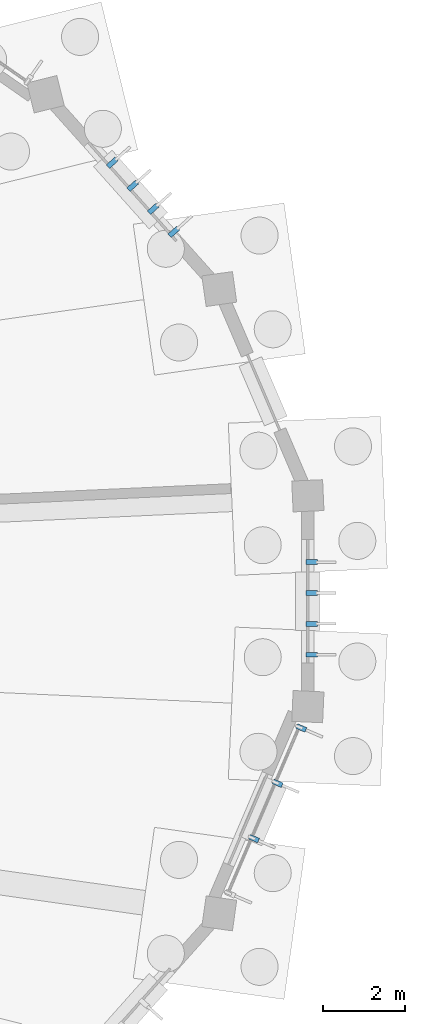
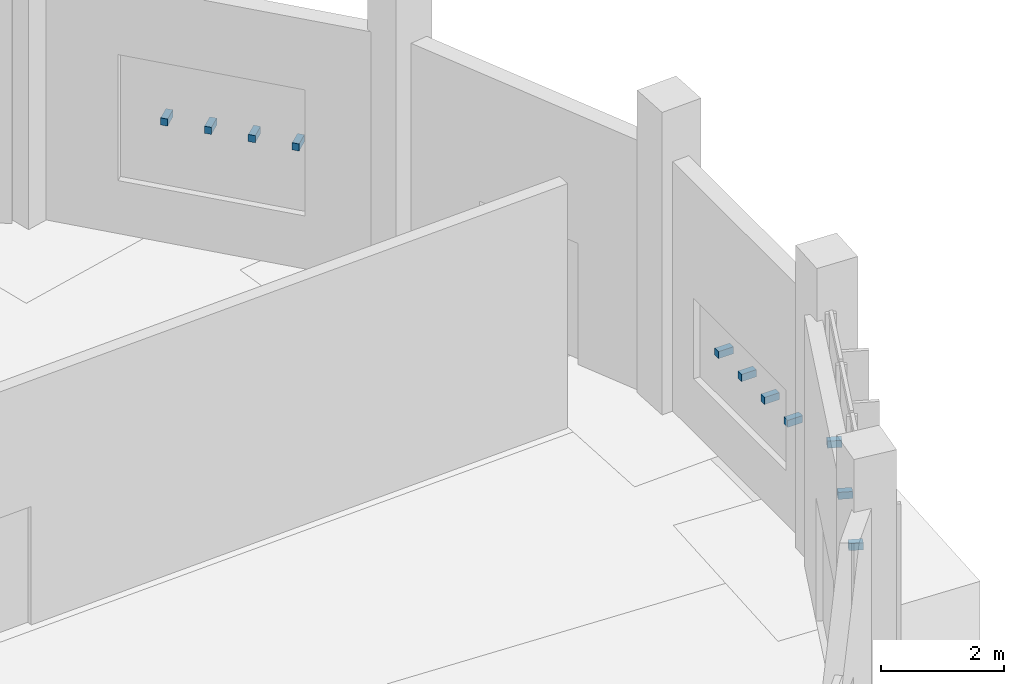
# One storey, part 107 of 140: 11 discrete accessories.
"""IFC4 building model written with IfcOpenShell, lengths in metres."""

import ifcopenshell
import ifcopenshell.guid

model = None  # the IFC model being written
_history = None  # IfcOwnerHistory: only IFC2X3 demands one
_inside = {}  # id of a spatial element -> (the spatial element, [elements in it])
_under = {}  # id of a project, library or spatial element -> (it, [spatial elements below it])
_declared = {}  # id of a project -> (the project, [libraries it declares])
_typed = {}  # id of a type object -> (the type object, [elements of that type])
_made_of = {}  # id of a material, layer set ... -> (it, [elements and type objects made of it])


def new_model(schema):
    """Start an empty IFC model of exactly this schema.

    Asked for "IFC4X3", IfcOpenShell would pick the latest addendum, in which some entities
    have other attributes; the version numbers below select the first issue.
    IFC2X3 requires an IfcOwnerHistory on every rooted entity: one is made here for all.
    """
    global model, _history
    if schema == "IFC4X3":
        model = ifcopenshell.file(schema_version=(4, 3, 0, 0))
    else:
        model = ifcopenshell.file(schema=schema)
    _inside.clear()
    _under.clear()
    _declared.clear()
    _typed.clear()
    _made_of.clear()
    _history = None
    if model.schema == "IFC2X3":
        org = make("IfcOrganization", Name="unknown")
        user = make(
            "IfcPersonAndOrganization",
            ThePerson=make("IfcPerson", FamilyName="unknown"),
            TheOrganization=org,
        )
        app = make(
            "IfcApplication",
            ApplicationDeveloper=org,
            Version="unknown",
            ApplicationFullName="unknown",
            ApplicationIdentifier="unknown",
        )
        _history = make(
            "IfcOwnerHistory",
            OwningUser=user,
            OwningApplication=app,
            ChangeAction="ADDED",
            CreationDate=0,
        )
    return model


def make(cls, **values):
    """One entity of the class cls with the attributes given. An attribute that is None is left unset."""
    return model.create_entity(
        cls, **{name: value for name, value in values.items() if value is not None}
    )


def rooted(cls, **values):
    """An entity with a GlobalId (a new one), such as an element, a storey or a relation."""
    return make(cls, GlobalId=ifcopenshell.guid.new(), OwnerHistory=_history, **values)


def si_unit(unit_type, name, prefix=None):
    """IfcSIUnit, for example si_unit("LENGTHUNIT", "METRE", prefix="MILLI")."""
    return make("IfcSIUnit", UnitType=unit_type, Prefix=prefix, Name=name)


def assignment(units):
    """IfcUnitAssignment: the units of a project."""
    return None if units is None else make("IfcUnitAssignment", Units=units)


def point(xyz):
    """IfcCartesianPoint."""
    return None if xyz is None else make("IfcCartesianPoint", Coordinates=xyz)


def direction(xyz):
    """IfcDirection."""
    return None if xyz is None else make("IfcDirection", DirectionRatios=xyz)


def frame(location, z_axis=None, x_axis=None):
    """IfcAxis2Placement3D, a coordinate frame: its origin and axes. An axis left out is left unset."""
    return make(
        "IfcAxis2Placement3D",
        Location=point(location),
        Axis=direction(z_axis),
        RefDirection=direction(x_axis),
    )


def frame_2d(location, x_axis=None):
    """IfcAxis2Placement2D, a coordinate frame in the plane: its origin and x axis."""
    return make(
        "IfcAxis2Placement2D", Location=point(location), RefDirection=direction(x_axis)
    )


def origin():
    """The frame at (0, 0, 0) with its axes left unset."""
    return frame((0.0, 0.0, 0.0))


def origin_2d():
    """The frame at (0, 0) in the plane with its x axis left unset."""
    return frame_2d((0.0, 0.0))


def place(relative_to, where):
    """IfcLocalPlacement: puts the frame where relative to a parent placement (None: the world)."""
    return make(
        "IfcLocalPlacement", PlacementRelTo=relative_to, RelativePlacement=where
    )


def context(
    kind, dimensions, precision=None, world=None, true_north=None, identifier=None
):
    """IfcGeometricRepresentationContext, for example the 3D "Model" context."""
    return make(
        "IfcGeometricRepresentationContext",
        ContextIdentifier=identifier,
        ContextType=kind,
        CoordinateSpaceDimension=dimensions,
        Precision=precision,
        WorldCoordinateSystem=world,
        TrueNorth=true_north,
    )


def subcontext(parent, identifier, kind, view, scale=None):
    """IfcGeometricRepresentationSubContext, for example "Body" below "Model"."""
    return make(
        "IfcGeometricRepresentationSubContext",
        ContextIdentifier=identifier,
        ContextType=kind,
        ParentContext=parent,
        TargetScale=scale,
        TargetView=view,
    )


def project(units=None, contexts=None):
    """IfcProject with its units and contexts."""
    return rooted(
        "IfcProject",
        Name="project",
        RepresentationContexts=contexts,
        UnitsInContext=assignment(units),
    )


def spatial(cls, under=None, at=None, **own):
    """A site, building, storey or space (cls), placed at a placement, below another one or the project."""
    s = rooted(cls, ObjectPlacement=at, **own)
    if under is not None:
        _under.setdefault(under.id(), (under, []))[1].append(s)
    return s


def profile(cls, at=None, kind="AREA", **sizes):
    """A parametric profile (cls). Its sizes go by their IFC names, for example OverallWidth=200.0."""
    return make(cls, ProfileType=kind, Position=at, **sizes)


def rectangle(**sizes):
    """IfcRectangleProfileDef."""
    return profile("IfcRectangleProfileDef", **sizes)


def extrude(swept, where, along, depth):
    """IfcExtrudedAreaSolid: the profile swept, set in the frame where, extruded along a direction by depth."""
    return make(
        "IfcExtrudedAreaSolid",
        SweptArea=swept,
        Position=where,
        ExtrudedDirection=direction(along),
        Depth=depth,
    )


def shape(context_of_items, identifier, shape_type, items):
    """IfcShapeRepresentation: the items that make up one representation, for example the "Body"."""
    return make(
        "IfcShapeRepresentation",
        ContextOfItems=context_of_items,
        RepresentationIdentifier=identifier,
        RepresentationType=shape_type,
        Items=items,
    )


def material(Name=None, Category=None):
    """IfcMaterial."""
    return make("IfcMaterial", Name=Name, Category=Category)


def made_of(thing, what):
    """Note that an element or type object is made of a material, layer set ...; save() writes the relation."""
    if what is not None:
        _made_of.setdefault(what.id(), (what, []))[1].append(thing)
    return thing


def type_object(cls, material=None, **own):
    """A type object (cls), such as IfcWallType, which elements share."""
    return made_of(rooted(cls, **own), material)


def element(
    cls,
    number,
    at=None,
    inside=None,
    cuts=None,
    type_object=None,
    material=None,
    context=None,
    identifier="Body",
    shape_type=None,
    held_by="IfcProductDefinitionShape",
    body=None,
    shapes=None,
    **own,
):
    """One element of the class cls, such as IfcWall. Its Tag is "e" and its number.

    at: its placement. inside: the storey or other place that contains it. cuts: it is an
    opening in that element (IfcRelVoidsElement). A single representation is given by context,
    identifier, shape_type and body (its items); several are given by shapes. held_by: the class
    of the entity that holds the representations. save() writes the other relations.
    """
    e = rooted(cls, Tag="e%d" % number, ObjectPlacement=at, **own)
    if body is not None:
        shapes = [shape(context, identifier, shape_type, body)]
    if shapes is not None:
        e.Representation = make(held_by, Representations=shapes)
    if inside is not None:
        _inside.setdefault(inside.id(), (inside, []))[1].append(e)
    if cuts is not None:
        rooted(
            "IfcRelVoidsElement", RelatingBuildingElement=cuts, RelatedOpeningElement=e
        )
    if type_object is not None:
        _typed.setdefault(type_object.id(), (type_object, []))[1].append(e)
    return made_of(e, material)


def aggregate(whole, parts):
    """IfcRelAggregates: a whole, such as a stair, and the parts it consists of."""
    return rooted("IfcRelAggregates", RelatingObject=whole, RelatedObjects=parts)


def save(model, path):
    """Write the relations noted so far, then the file.

    IfcRelAggregates (storeys below a building ...), IfcRelContainedInSpatialStructure (elements
    in a storey), IfcRelDefinesByType, IfcRelAssociatesMaterial and IfcRelDeclares: one each for
    every whole, place, type object, material and project.
    """
    for whole, parts in _under.values():
        aggregate(whole, parts)
    for where, things in _inside.values():
        rooted(
            "IfcRelContainedInSpatialStructure",
            RelatedElements=things,
            RelatingStructure=where,
        )
    for kind, things in _typed.values():
        rooted("IfcRelDefinesByType", RelatedObjects=things, RelatingType=kind)
    for what, things in _made_of.values():
        rooted("IfcRelAssociatesMaterial", RelatedObjects=things, RelatingMaterial=what)
    for by, libraries in _declared.values():
        rooted("IfcRelDeclares", RelatingContext=by, RelatedDefinitions=libraries)
    model.write(path)


model = new_model("IFC4")

# Units and contexts
model_context = context("Model", 3, precision=1e-05, world=origin(), true_north=direction((0.0, 1.0)))
body_context = subcontext(model_context, "Body", "Model", "MODEL_VIEW")
ifc_project = project(units=[si_unit("LENGTHUNIT", "METRE"), si_unit("AREAUNIT", "SQUARE_METRE"), si_unit("VOLUMEUNIT", "CUBIC_METRE"), si_unit("PLANEANGLEUNIT", "RADIAN"), si_unit("MASSUNIT", "GRAM", prefix="KILO")], contexts=[model_context])

# Site, building, storey
site_placement = place(None, origin())
site = spatial("IfcSite", under=ifc_project, at=site_placement, CompositionType="ELEMENT")
building_placement = place(site_placement, origin())
building = spatial("IfcBuilding", under=site, at=building_placement, Name="Corvandel Quay Wholesale Market", CompositionType="ELEMENT")
storey_placement = place(building_placement, origin())
storey = spatial("IfcBuildingStorey", under=building, at=storey_placement, Name="L00", CompositionType="ELEMENT", Elevation=0.0)

# Discrete accessories
ifc_material = material(Name="Austenitic stainless steel Grade 316", Category="steel")
discrete_accessory_type = type_object("IfcDiscreteAccessoryType", Name="Stainless Solar Fin Fixing Bracket BRK01", PredefinedType="USERDEFINED", material=ifc_material)
for number, where, z_axis, x_axis, name in (
    (1, (166.744384765625, 124.971435546875, 2.22998046875), (0.0, 0.0, 1.0), (0.746289766155, 0.665621202286, 0.0), "Fin Bracket 0420"),
    (2, (166.2451171875, 125.531005859375, 2.22998046875), (0.0, 0.0, 1.0), (0.746289766155, 0.665621202286, 0.0), "Fin Bracket 0421"),
    (3, (165.745849609375, 126.0908203125, 2.22998046875), (0.0, 0.0, 1.0), (0.746289766155, 0.665621202286, 0.0), "Fin Bracket 0422"),
    (4, (165.24658203125, 126.650390625, 2.22998046875), (0.0, 0.0, 1.0), (0.746289766155, 0.665621202286, 0.0), "Fin Bracket 0423"),
):
    element("IfcDiscreteAccessory", number, at=place(storey_placement, frame(where, z_axis=z_axis, x_axis=x_axis)), inside=storey, type_object=discrete_accessory_type, Name=name, ObjectType="BRACKET", PredefinedType="USERDEFINED", context=body_context, shape_type="SweptSolid", body=[
        extrude(rectangle(XDim=0.280029296875, YDim=0.1201171875, at=origin_2d()), origin(), (0.0, 0.0, 1.0), 0.139892578125),
    ])
for number, where, z_axis, x_axis, name in (
    (5, (168.69140625, 110.232177734375, 2.5048828125), (0.0, 0.0, 1.0), (-0.919204081089, 0.393781484212, 0.0), "Fin Bracket 0587"),
    (6, (169.266845703125, 111.57568359375, 2.5048828125), (0.0, 0.0, 1.0), (-0.919204081089, 0.393781484212, 0.0), "Fin Bracket 0588"),
    (7, (169.842529296875, 112.9189453125, 2.5048828125), (0.0, 0.0, 1.0), (-0.919204081089, 0.393781484212, 0.0), "Fin Bracket 0589"),
):
    element("IfcDiscreteAccessory", number, at=place(storey_placement, frame(where, z_axis=z_axis, x_axis=x_axis)), inside=storey, type_object=discrete_accessory_type, Name=name, ObjectType="BRACKET", PredefinedType="USERDEFINED", context=body_context, shape_type="SweptSolid", body=[
        extrude(rectangle(XDim=0.239990234375, YDim=0.1201171875, at=origin_2d()), origin(), (0.0, 0.0, 1.0), 0.139892578125),
    ])
for number, where, z_axis, x_axis, name in (
    (8, (170.10009765625, 114.699951171875, 1.7802734375), (0.0, 0.0, 1.0), (1.0, 0.0, 0.0), "Fin Bracket 0592"),
    (9, (170.10009765625, 115.449951171875, 1.7802734375), (0.0, 0.0, 1.0), (1.0, 0.0, 0.0), "Fin Bracket 0593"),
    (10, (170.10009765625, 116.199951171875, 1.7802734375), (0.0, 0.0, 1.0), (1.0, 0.0, 0.0), "Fin Bracket 0594"),
    (11, (170.10009765625, 116.949951171875, 1.7802734375), (0.0, 0.0, 1.0), (1.0, 0.0, 0.0), "Fin Bracket 0595"),
):
    element("IfcDiscreteAccessory", number, at=place(storey_placement, frame(where, z_axis=z_axis, x_axis=x_axis)), inside=storey, type_object=discrete_accessory_type, Name=name, ObjectType="BRACKET", PredefinedType="USERDEFINED", context=body_context, shape_type="SweptSolid", body=[
        extrude(rectangle(XDim=0.280029296875, YDim=0.1201171875, at=origin_2d()), origin(), (0.0, 0.0, 1.0), 0.139892578125),
    ])

save(model, "model.ifc")
